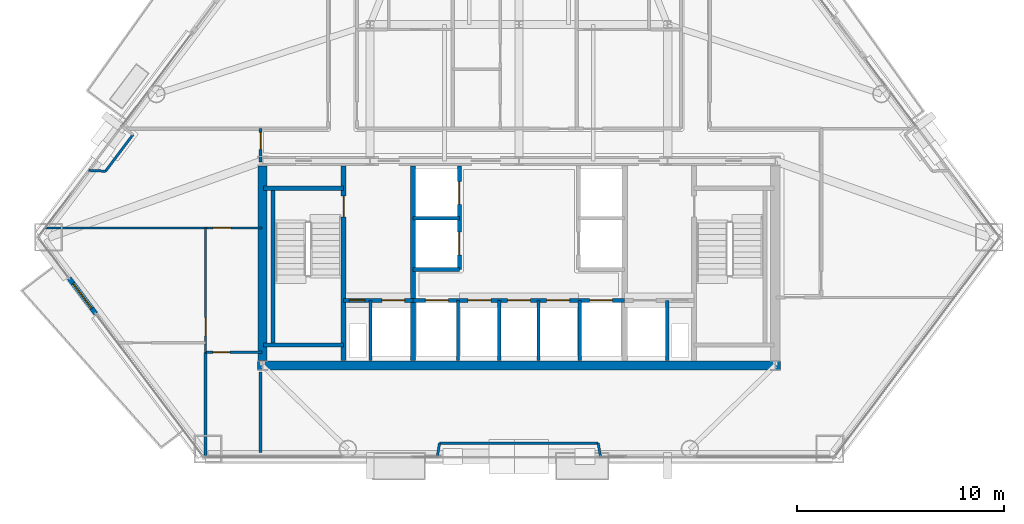
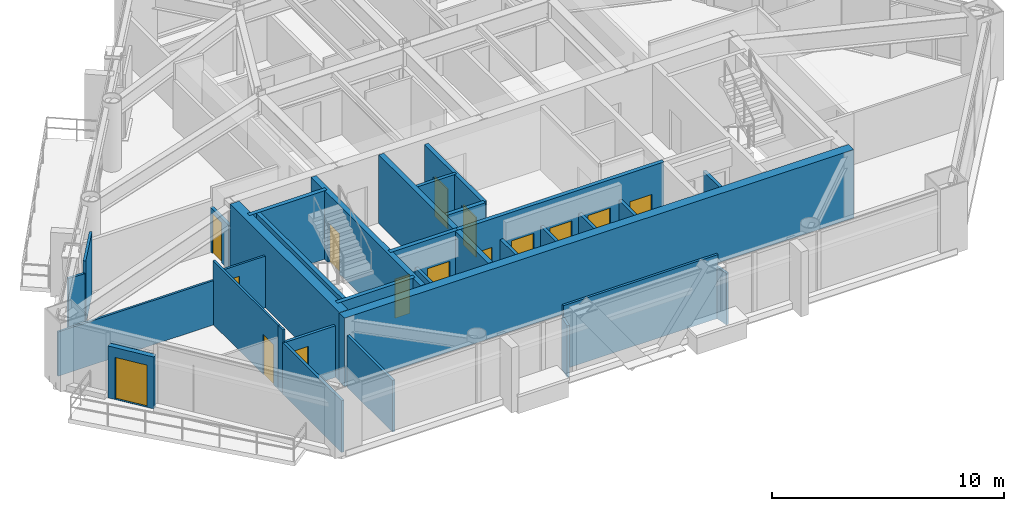
# One storey, part 6 of 11: 32 walls, 15 doors, 15 openings.
"""IFC4 building model written with IfcOpenShell, lengths in metres."""

from ifc_helpers import new_model, si_unit, direction, frame, frame_2d, origin, place, context, subcontext, project, spatial, rectangle, extrude, material, layer, layer_set, type_object, element, fill, save


model = new_model("IFC4")

# Units and contexts
model_context = context("Model", 3, precision=1e-05, world=origin(), true_north=direction((0.0, 1.0)))
body_context = subcontext(model_context, "Body", "Model", "MODEL_VIEW")
ifc_project = project(units=[si_unit("LENGTHUNIT", "METRE"), si_unit("AREAUNIT", "SQUARE_METRE"), si_unit("VOLUMEUNIT", "CUBIC_METRE"), si_unit("PLANEANGLEUNIT", "RADIAN"), si_unit("MASSUNIT", "GRAM", prefix="KILO")], contexts=[model_context])

# Site, building, storey
site_placement = place(None, origin())
site = spatial("IfcSite", under=ifc_project, at=site_placement, CompositionType="ELEMENT")
building_placement = place(site_placement, origin())
building = spatial("IfcBuilding", under=site, at=building_placement, Name="Talgorran Terracotta Tower", CompositionType="ELEMENT")
storey_placement = place(building_placement, frame((0.0, 0.0, 38.699951171875)))
storey = spatial("IfcBuildingStorey", under=building, at=storey_placement, Name="L09", CompositionType="ELEMENT", Elevation=38.699951171875)

# Wall, opening, door
ifc_material_1 = material(Name="Concrete C40/50", Category="concrete")
ifc_layer_1 = layer(ifc_material_1, 0.239990234375, Name="WT_BALCONY_SPAND")
ifc_layer_set_1 = layer_set([ifc_layer_1], Name="Concrete C40/50")
wall_type_1 = type_object("IfcWallType", Name="WT_BALCONY_SPAND", PredefinedType="STANDARD", material=ifc_layer_set_1)
wall_1_placement = place(storey_placement, frame((-21.7626953125, -9.8798828125, -0.014892578125), z_axis=(0.0, 0.0, 1.0), x_axis=(0.601568650406, -0.79882110566, 0.0)))
wall_1 = element("IfcWall", 1, at=wall_1_placement, inside=storey, type_object=wall_type_1, Name="WL-L09-BALP-BAL-SW", PredefinedType="STANDARD", context=body_context, shape_type="SweptSolid", body=[
    extrude(rectangle(XDim=2.139892578125, YDim=0.239990234375, at=frame_2d((1.06982421875, 0.0))), origin(), (0.0, 0.0, 1.0), 2.728271484375),
])
opening_1_placement = place(wall_1_placement, frame((0.320068359375, 0.0, 0.014892578125)))
opening_1 = element("IfcOpeningElement", 2, at=opening_1_placement, cuts=wall_1, Name="Opening D-BAL-L09-3", PredefinedType="OPENING", context=body_context, shape_type="SweptSolid", body=[
    extrude(rectangle(XDim=1.506, YDim=2.203951171875, at=frame_2d((0.75, 1.10205078125))), frame((0.0, 0.1298828125, 0.0), z_axis=(0.0, -1.0, 0.0), x_axis=(1.0, 0.0, 0.0)), (0.0, 0.0, 1.0), 0.260009765625),
])
ifc_material_2 = material(Name="Thermally Broken Aluminium", Category="aluminium")
door_type_1 = type_object("IfcDoorType", Name="DT_BALC_1500", OperationType="SLIDING_TO_RIGHT", PredefinedType="DOOR", material=ifc_material_2)
door_1_placement = place(opening_1_placement, origin())
door_1 = element("IfcDoor", 3, at=door_1_placement, inside=storey, type_object=door_type_1, Name="DR-L09-BAL-BAL-SW", OperationType="SLIDING_TO_RIGHT", OverallHeight=2.199951171875, OverallWidth=1.5, PredefinedType="DOOR", context=body_context, shape_type="SweptSolid", body=[
    extrude(rectangle(XDim=1.5, YDim=2.199951171875, at=frame_2d((0.75, 1.10009765625))), frame((0.0, 0.02490234375, 0.0), z_axis=(0.0, -1.0, 0.0), x_axis=(1.0, 0.0, 0.0)), (0.0, 0.0, 1.0), 0.050048828125),
])
fill(opening_1, door_1)

# Walls
ifc_material_3 = material(Name="Concrete C50/60", Category="concrete")
ifc_layer_2 = layer(ifc_material_3, 0.199951171875, Name="WT_CORE_200")
ifc_layer_set_2 = layer_set([ifc_layer_2], Name="Concrete C50/60")
wall_type_2 = type_object("IfcWallType", Name="WT_CORE_200", PredefinedType="SOLIDWALL", material=ifc_layer_set_2)
for number, where, z_axis, x_axis, name in (
    (4, (-12.35009765625, -5.52001953125, 0.0), (0.0, 0.0, 1.0), (1.0, 0.0, 0.0), "WL-L09-CW-ST1-N"),
    (5, (-12.35009765625, -13.10009765625, 0.0), (0.0, 0.0, 1.0), (1.0, 0.0, 0.0), "WL-L09-CW-ST1-S"),
):
    element("IfcWall", number, at=place(storey_placement, frame(where, z_axis=z_axis, x_axis=x_axis)), inside=storey, type_object=wall_type_2, Name=name, PredefinedType="SOLIDWALL", context=body_context, shape_type="SweptSolid", body=[
        extrude(rectangle(XDim=3.8701171875, YDim=0.199951171875, at=frame_2d((1.93505859375, 0.0))), origin(), (0.0, 0.0, 1.0), 3.60009765625),
    ])
wall_2_placement = place(storey_placement, frame((-11.89990234375, -13.10009765625, 0.0), z_axis=(0.0, 0.0, 1.0), x_axis=(0.0, 1.0, 0.0)))
element("IfcWall", 6, at=wall_2_placement, inside=storey, type_object=wall_type_2, Name="WL-L09-CW-ST1-W", PredefinedType="SOLIDWALL", context=body_context, shape_type="SweptSolid", body=[
    extrude(rectangle(XDim=7.580078125, YDim=0.199951171875, at=frame_2d((3.7900390625, 0.0))), origin(), (0.0, 0.0, 1.0), 3.60009765625),
])

# Wall, openings, doors
wall_3_placement = place(storey_placement, frame((-8.47998046875, -10.949951171875, 0.0), z_axis=(0.0, 0.0, 1.0), x_axis=(1.0, 0.0, 0.0)))
wall_3 = element("IfcWall", 7, at=wall_3_placement, inside=storey, type_object=wall_type_2, Name="WL-L09-CW-H-SBW", PredefinedType="SOLIDWALL", context=body_context, shape_type="SweptSolid", body=[
    extrude(rectangle(XDim=3.35986328125, YDim=0.199951171875, at=frame_2d((1.679931640625, 0.0))), origin(), (0.0, 0.0, 1.0), 3.60009765625),
])
opening_2_placement = place(wall_3_placement, frame((0.280029296875, 0.0, 0.0)))
opening_2 = element("IfcOpeningElement", 8, at=opening_2_placement, cuts=wall_3, Name="Opening DR-RSW", PredefinedType="OPENING", context=body_context, shape_type="SweptSolid", body=[
    extrude(rectangle(XDim=0.756, YDim=2.054048828125, at=frame_2d((0.375, 1.027099609375))), frame((0.0, 0.10986328125, 0.0), z_axis=(0.0, -1.0, 0.0), x_axis=(1.0, 0.0, 0.0)), (0.0, 0.0, 1.0), 0.219970703125),
])
opening_3_placement = place(wall_3_placement, frame((1.85009765625, 0.0, 0.0)))
opening_3 = element("IfcOpeningElement", 9, at=opening_3_placement, cuts=wall_3, Name="Opening LD-FFL1", PredefinedType="OPENING", context=body_context, shape_type="SweptSolid", body=[
    extrude(rectangle(XDim=1.10609765625, YDim=2.10409765625, at=frame_2d((0.550048828125, 1.052001953125))), frame((0.0, 0.10986328125, 0.0), z_axis=(0.0, -1.0, 0.0), x_axis=(1.0, 0.0, 0.0)), (0.0, 0.0, 1.0), 0.219970703125),
])
ifc_material_4 = material(Name="Brushed Stainless Steel Grade 304", Category="steel")
door_type_2 = type_object("IfcDoorType", Name="DT_LIFT_LD1100", OperationType="DOUBLE_DOOR_SLIDING", PredefinedType="DOOR", material=ifc_material_4)
door_2_placement = place(opening_3_placement, origin())
door_2 = element("IfcDoor", 10, at=door_2_placement, inside=storey, type_object=door_type_2, Name="L09 Lift Landing Door LD-FFL1", OperationType="DOUBLE_DOOR_SLIDING", OverallHeight=2.10009765625, OverallWidth=1.10009765625, PredefinedType="DOOR", context=body_context, shape_type="SweptSolid", body=[
    extrude(rectangle(XDim=1.10009765625, YDim=2.10009765625, at=frame_2d((0.550048828125, 1.050048828125))), frame((0.0, 0.02490234375, 0.0), z_axis=(0.0, -1.0, 0.0), x_axis=(1.0, 0.0, 0.0)), (0.0, 0.0, 1.0), 0.050048828125),
])
fill(opening_3, door_2)
ifc_material_5 = material(Name="Fire-Rated Pressed Steel", Category="steel")
door_type_3 = type_object("IfcDoorType", Name="DT_RISER_750", OperationType="NOTDEFINED", PredefinedType="DOOR", material=ifc_material_5)
door_3_placement = place(opening_2_placement, origin())
door_3 = element("IfcDoor", 11, at=door_3_placement, inside=storey, type_object=door_type_3, Name="DR-RSW", OperationType="SINGLE_SWING_LEFT", OverallHeight=2.050048828125, OverallWidth=0.75, PredefinedType="DOOR", context=body_context, shape_type="SweptSolid", body=[
    extrude(rectangle(XDim=0.75, YDim=2.050048828125, at=frame_2d((0.375, 1.02490234375))), frame((0.0, 0.02490234375, 0.0), z_axis=(0.0, -1.0, 0.0), x_axis=(1.0, 0.0, 0.0)), (0.0, 0.0, 1.0), 0.050048828125),
])
fill(opening_2, door_3)

wall_4_placement = place(storey_placement, frame((-5.1201171875, -10.949951171875, 0.0), z_axis=(0.0, 0.0, 1.0), x_axis=(1.0, 0.0, 0.0)))
wall_4 = element("IfcWall", 12, at=wall_4_placement, inside=storey, type_object=wall_type_2, Name="WL-L09-CW-H-SBC", PredefinedType="SOLIDWALL", context=body_context, shape_type="SweptSolid", body=[
    extrude(rectangle(XDim=10.240234375, YDim=0.199951171875, at=frame_2d((5.1201171875, 0.0))), origin(), (0.0, 0.0, 1.0), 3.60009765625),
])
opening_4_placement = place(wall_4_placement, frame((0.60009765625, 0.0, 0.0)))
opening_4 = element("IfcOpeningElement", 13, at=opening_4_placement, cuts=wall_4, Name="Opening LD-OB1", PredefinedType="OPENING", context=body_context, shape_type="SweptSolid", body=[
    extrude(rectangle(XDim=1.10609765625, YDim=2.10409765625, at=frame_2d((0.550048828125, 1.052001953125))), frame((0.0, 0.10986328125, 0.0), z_axis=(0.0, -1.0, 0.0), x_axis=(1.0, 0.0, 0.0)), (0.0, 0.0, 1.0), 0.219970703125),
])
opening_5_placement = place(wall_4_placement, frame((2.669921875, 0.0, 0.0)))
opening_5 = element("IfcOpeningElement", 14, at=opening_5_placement, cuts=wall_4, Name="Opening LD-PLH1", PredefinedType="OPENING", context=body_context, shape_type="SweptSolid", body=[
    extrude(rectangle(XDim=1.10609765625, YDim=2.10409765625, at=frame_2d((0.550048828125, 1.052001953125))), frame((0.0, 0.10986328125, 0.0), z_axis=(0.0, -1.0, 0.0), x_axis=(1.0, 0.0, 0.0)), (0.0, 0.0, 1.0), 0.219970703125),
])
opening_6_placement = place(wall_4_placement, frame((4.570068359375, 0.0, 0.0)))
opening_6 = element("IfcOpeningElement", 15, at=opening_6_placement, cuts=wall_4, Name="Opening LD-PLH2", PredefinedType="OPENING", context=body_context, shape_type="SweptSolid", body=[
    extrude(rectangle(XDim=1.10609765625, YDim=2.10409765625, at=frame_2d((0.550048828125, 1.052001953125))), frame((0.0, 0.10986328125, 0.0), z_axis=(0.0, -1.0, 0.0), x_axis=(1.0, 0.0, 0.0)), (0.0, 0.0, 1.0), 0.219970703125),
])
opening_7_placement = place(wall_4_placement, frame((6.469970703125, 0.0, 0.0)))
opening_7 = element("IfcOpeningElement", 16, at=opening_7_placement, cuts=wall_4, Name="Opening LD-PLH3", PredefinedType="OPENING", context=body_context, shape_type="SweptSolid", body=[
    extrude(rectangle(XDim=1.10609765625, YDim=2.10409765625, at=frame_2d((0.550048828125, 1.052001953125))), frame((0.0, 0.10986328125, 0.0), z_axis=(0.0, -1.0, 0.0), x_axis=(1.0, 0.0, 0.0)), (0.0, 0.0, 1.0), 0.219970703125),
])
opening_8_placement = place(wall_4_placement, frame((8.5400390625, 0.0, 0.0)))
opening_8 = element("IfcOpeningElement", 17, at=opening_8_placement, cuts=wall_4, Name="Opening LD-SVL1", PredefinedType="OPENING", context=body_context, shape_type="SweptSolid", body=[
    extrude(rectangle(XDim=1.10609765625, YDim=2.10409765625, at=frame_2d((0.550048828125, 1.052001953125))), frame((0.0, 0.10986328125, 0.0), z_axis=(0.0, -1.0, 0.0), x_axis=(1.0, 0.0, 0.0)), (0.0, 0.0, 1.0), 0.219970703125),
])
door_4_placement = place(opening_4_placement, origin())
door_4 = element("IfcDoor", 18, at=door_4_placement, inside=storey, type_object=door_type_2, Name="L09 Lift Landing Door LD-OB1", OperationType="DOUBLE_DOOR_SLIDING", OverallHeight=2.10009765625, OverallWidth=1.10009765625, PredefinedType="DOOR", context=body_context, shape_type="SweptSolid", body=[
    extrude(rectangle(XDim=1.10009765625, YDim=2.10009765625, at=frame_2d((0.550048828125, 1.050048828125))), frame((0.0, 0.02490234375, 0.0), z_axis=(0.0, -1.0, 0.0), x_axis=(1.0, 0.0, 0.0)), (0.0, 0.0, 1.0), 0.050048828125),
])
fill(opening_4, door_4)
door_5_placement = place(opening_5_placement, origin())
door_5 = element("IfcDoor", 19, at=door_5_placement, inside=storey, type_object=door_type_2, Name="L09 Lift Landing Door LD-PLH1", OperationType="DOUBLE_DOOR_SLIDING", OverallHeight=2.10009765625, OverallWidth=1.10009765625, PredefinedType="DOOR", context=body_context, shape_type="SweptSolid", body=[
    extrude(rectangle(XDim=1.10009765625, YDim=2.10009765625, at=frame_2d((0.550048828125, 1.050048828125))), frame((0.0, 0.02490234375, 0.0), z_axis=(0.0, -1.0, 0.0), x_axis=(1.0, 0.0, 0.0)), (0.0, 0.0, 1.0), 0.050048828125),
])
fill(opening_5, door_5)
door_6_placement = place(opening_6_placement, origin())
door_6 = element("IfcDoor", 20, at=door_6_placement, inside=storey, type_object=door_type_2, Name="L09 Lift Landing Door LD-PLH2", OperationType="DOUBLE_DOOR_SLIDING", OverallHeight=2.10009765625, OverallWidth=1.10009765625, PredefinedType="DOOR", context=body_context, shape_type="SweptSolid", body=[
    extrude(rectangle(XDim=1.10009765625, YDim=2.10009765625, at=frame_2d((0.550048828125, 1.050048828125))), frame((0.0, 0.02490234375, 0.0), z_axis=(0.0, -1.0, 0.0), x_axis=(1.0, 0.0, 0.0)), (0.0, 0.0, 1.0), 0.050048828125),
])
fill(opening_6, door_6)
door_7_placement = place(opening_7_placement, origin())
door_7 = element("IfcDoor", 21, at=door_7_placement, inside=storey, type_object=door_type_2, Name="L09 Lift Landing Door LD-PLH3", OperationType="DOUBLE_DOOR_SLIDING", OverallHeight=2.10009765625, OverallWidth=1.10009765625, PredefinedType="DOOR", context=body_context, shape_type="SweptSolid", body=[
    extrude(rectangle(XDim=1.10009765625, YDim=2.10009765625, at=frame_2d((0.550048828125, 1.050048828125))), frame((0.0, 0.02490234375, 0.0), z_axis=(0.0, -1.0, 0.0), x_axis=(1.0, 0.0, 0.0)), (0.0, 0.0, 1.0), 0.050048828125),
])
fill(opening_7, door_7)
door_8_placement = place(opening_8_placement, origin())
door_8 = element("IfcDoor", 22, at=door_8_placement, inside=storey, type_object=door_type_2, Name="L09 Lift Landing Door LD-SVL1", OperationType="DOUBLE_DOOR_SLIDING", OverallHeight=2.10009765625, OverallWidth=1.10009765625, PredefinedType="DOOR", context=body_context, shape_type="SweptSolid", body=[
    extrude(rectangle(XDim=1.10009765625, YDim=2.10009765625, at=frame_2d((0.550048828125, 1.050048828125))), frame((0.0, 0.02490234375, 0.0), z_axis=(0.0, -1.0, 0.0), x_axis=(1.0, 0.0, 0.0)), (0.0, 0.0, 1.0), 0.050048828125),
])
fill(opening_8, door_8)

wall_5_placement = place(storey_placement, frame((-2.8798828125, -9.449951171875, 0.0), z_axis=(0.0, 0.0, 1.0), x_axis=(0.0, 1.0, 0.0)))
wall_5 = element("IfcWall", 23, at=wall_5_placement, inside=storey, type_object=wall_type_2, Name="WL-L09-CW-V-W3", PredefinedType="SOLIDWALL", context=body_context, shape_type="SweptSolid", body=[
    extrude(rectangle(XDim=5.0, YDim=0.199951171875, at=frame_2d((2.5, 0.0))), origin(), (0.0, 0.0, 1.0), 3.35009765625),
])
opening_9_placement = place(wall_5_placement, frame((0.699951171875, 0.0, 0.0)))
opening_9 = element("IfcOpeningElement", 24, at=opening_9_placement, cuts=wall_5, Name="Opening LD-PLL1", PredefinedType="OPENING", context=body_context, shape_type="SweptSolid", body=[
    extrude(rectangle(XDim=1.10609765625, YDim=2.10409765625, at=frame_2d((0.550048828125, 1.052001953125))), frame((0.0, 0.10986328125, 0.0), z_axis=(0.0, -1.0, 0.0), x_axis=(1.0, 0.0, 0.0)), (0.0, 0.0, 1.0), 0.219970703125),
])
opening_10_placement = place(wall_5_placement, frame((3.14990234375, 0.0, 0.0)))
opening_10 = element("IfcOpeningElement", 25, at=opening_10_placement, cuts=wall_5, Name="Opening LD-PLL2", PredefinedType="OPENING", context=body_context, shape_type="SweptSolid", body=[
    extrude(rectangle(XDim=1.10609765625, YDim=2.10409765625, at=frame_2d((0.550048828125, 1.052001953125))), frame((0.0, 0.10986328125, 0.0), z_axis=(0.0, -1.0, 0.0), x_axis=(1.0, 0.0, 0.0)), (0.0, 0.0, 1.0), 0.219970703125),
])
door_9_placement = place(opening_9_placement, origin())
door_9 = element("IfcDoor", 26, at=door_9_placement, inside=storey, type_object=door_type_2, Name="L09 Lift Landing Door LD-PLL1", OperationType="DOUBLE_DOOR_SLIDING", OverallHeight=2.10009765625, OverallWidth=1.10009765625, PredefinedType="DOOR", context=body_context, shape_type="SweptSolid", body=[
    extrude(rectangle(XDim=1.10009765625, YDim=2.10009765625, at=frame_2d((0.550048828125, 1.050048828125))), frame((0.0, 0.02490234375, 0.0), z_axis=(0.0, -1.0, 0.0), x_axis=(1.0, 0.0, 0.0)), (0.0, 0.0, 1.0), 0.050048828125),
])
fill(opening_9, door_9)
door_10_placement = place(opening_10_placement, origin())
door_10 = element("IfcDoor", 27, at=door_10_placement, inside=storey, type_object=door_type_2, Name="L09 Lift Landing Door LD-PLL2", OperationType="DOUBLE_DOOR_SLIDING", OverallHeight=2.10009765625, OverallWidth=1.10009765625, PredefinedType="DOOR", context=body_context, shape_type="SweptSolid", body=[
    extrude(rectangle(XDim=1.10009765625, YDim=2.10009765625, at=frame_2d((0.550048828125, 1.050048828125))), frame((0.0, 0.02490234375, 0.0), z_axis=(0.0, -1.0, 0.0), x_axis=(1.0, 0.0, 0.0)), (0.0, 0.0, 1.0), 0.050048828125),
])
fill(opening_10, door_10)

# Wall
wall_6_placement = place(storey_placement, frame((-5.1201171875, -9.449951171875, 0.0), z_axis=(0.0, 0.0, 1.0), x_axis=(1.0, 0.0, 0.0)))
element("IfcWall", 28, at=wall_6_placement, inside=storey, type_object=wall_type_2, Name="WL-L09-CW-H-W4", PredefinedType="SOLIDWALL", context=body_context, shape_type="SweptSolid", body=[
    extrude(rectangle(XDim=2.240234375, YDim=0.199951171875, at=frame_2d((1.1201171875, 0.0))), origin(), (0.0, 0.0, 1.0), 3.35009765625),
])

# Wall, opening, door
ifc_layer_3 = layer(ifc_material_3, 0.25, Name="WT_CORE_250")
ifc_layer_set_3 = layer_set([ifc_layer_3], Name="Concrete C50/60")
wall_type_3 = type_object("IfcWallType", Name="WT_CORE_250", PredefinedType="SHEAR", material=ifc_layer_set_3)
wall_7_placement = place(storey_placement, frame((-8.47998046875, -13.85009765625, 0.0), z_axis=(0.0, 0.0, 1.0), x_axis=(0.0, 1.0, 0.0)))
wall_7 = element("IfcWall", 29, at=wall_7_placement, inside=storey, type_object=wall_type_3, Name="WL-L09-CW-V-W1", PredefinedType="SHEAR", context=body_context, shape_type="SweptSolid", body=[
    extrude(rectangle(XDim=9.400146484375, YDim=0.25, at=frame_2d((4.7001953125, 0.0))), origin(), (0.0, 0.0, 1.0), 3.60009765625),
])
opening_11_placement = place(wall_7_placement, frame((6.949951171875, 0.0, 0.0)))
opening_11 = element("IfcOpeningElement", 30, at=opening_11_placement, cuts=wall_7, Name="Opening DR-ST01", PredefinedType="OPENING", context=body_context, shape_type="SweptSolid", body=[
    extrude(rectangle(XDim=1.006, YDim=2.10409765625, at=frame_2d((0.5, 1.052001953125))), frame((0.0, 0.135009765625, 0.0), z_axis=(0.0, -1.0, 0.0), x_axis=(1.0, 0.0, 0.0)), (0.0, 0.0, 1.0), 0.27001953125),
])
door_type_4 = type_object("IfcDoorType", Name="DT_FIRE_1000", OperationType="NOTDEFINED", PredefinedType="DOOR", material=ifc_material_5)
door_11_placement = place(opening_11_placement, origin())
door_11 = element("IfcDoor", 31, at=door_11_placement, inside=storey, type_object=door_type_4, Name="DR-ST01", OperationType="SINGLE_SWING_LEFT", OverallHeight=2.10009765625, OverallWidth=1.0, PredefinedType="DOOR", context=body_context, shape_type="SweptSolid", body=[
    extrude(rectangle(XDim=1.0, YDim=2.10009765625, at=frame_2d((0.5, 1.050048828125))), frame((0.0, 0.02490234375, 0.0), z_axis=(0.0, -1.0, 0.0), x_axis=(1.0, 0.0, 0.0)), (0.0, 0.0, 1.0), 0.050048828125),
])
fill(opening_11, door_11)

# Walls
wall_8_placement = place(storey_placement, frame((-5.1201171875, -13.85009765625, 0.0), z_axis=(0.0, 0.0, 1.0), x_axis=(0.0, 1.0, 0.0)))
element("IfcWall", 32, at=wall_8_placement, inside=storey, type_object=wall_type_3, Name="WL-L09-CW-V-W2", PredefinedType="SHEAR", context=body_context, shape_type="SweptSolid", body=[
    extrude(rectangle(XDim=9.400146484375, YDim=0.25, at=frame_2d((4.7001953125, 0.0))), origin(), (0.0, 0.0, 1.0), 3.60009765625),
])
ifc_material_6 = material(Name="Concrete C65/80", Category="concrete")
ifc_layer_4 = layer(ifc_material_6, 0.449951171875, Name="WT_CORE_EXT")
ifc_layer_set_4 = layer_set([ifc_layer_4], Name="Concrete C65/80")
wall_type_4 = type_object("IfcWallType", Name="WT_CORE_EXT", PredefinedType="SHEAR", material=ifc_layer_set_4)
wall_9_placement = place(storey_placement, frame((-12.64990234375, -14.10009765625, 0.0), z_axis=(0.0, 0.0, 1.0), x_axis=(1.0, 0.0, 0.0)))
element("IfcWall", 33, at=wall_9_placement, inside=storey, type_object=wall_type_4, Name="WL-L09-CW-OUT-S", PredefinedType="SHEAR", context=body_context, shape_type="SweptSolid", body=[
    extrude(rectangle(XDim=25.2998046875, YDim=0.449951171875, at=frame_2d((12.64990234375, 0.0))), origin(), (0.0, 0.0, 1.0), 3.60009765625),
])
wall_10_placement = place(storey_placement, frame((-12.39990234375, -13.85009765625, 0.0), z_axis=(0.0, 0.0, 1.0), x_axis=(0.0, 1.0, 0.0)))
element("IfcWall", 34, at=wall_10_placement, inside=storey, type_object=wall_type_4, Name="WL-L09-CW-OUT-W", PredefinedType="SHEAR", context=body_context, shape_type="SweptSolid", body=[
    extrude(rectangle(XDim=9.400146484375, YDim=0.449951171875, at=frame_2d((4.7001953125, 0.0))), origin(), (0.0, 0.0, 1.0), 3.60009765625),
])

# Wall, opening, door
ifc_material_7 = material(Name="Fire-Rated Steel Stud Plasterboard", Category="steel")
ifc_layer_5 = layer(ifc_material_7, 0.14990234375, Name="WT_FIRE_150")
ifc_layer_set_5 = layer_set([ifc_layer_5], Name="Fire-Rated Steel Stud Plasterboard")
wall_type_5 = type_object("IfcWallType", Name="WT_FIRE_150", PredefinedType="PARTITIONING", material=ifc_layer_set_5)
wall_11_placement = place(storey_placement, frame((-12.5, -4.239990234375, 0.0), z_axis=(0.0, 0.0, 1.0), x_axis=(0.0, 1.0, 0.0)))
wall_11 = element("IfcWall", 35, at=wall_11_placement, inside=storey, type_object=wall_type_5, Name="WL-L09-W-L09-R01", PredefinedType="PARTITIONING", context=body_context, shape_type="SweptSolid", body=[
    extrude(rectangle(XDim=1.60009765625, YDim=0.14990234375, at=frame_2d((0.800048828125, 0.0))), origin(), (0.0, 0.0, 1.0), 2.324951171875),
])
opening_12_placement = place(wall_11_placement, frame((0.602294921875, 0.0, 0.0)))
opening_12 = element("IfcOpeningElement", 36, at=opening_12_placement, cuts=wall_11, Name="Opening DR-L09-R01", PredefinedType="OPENING", context=body_context, shape_type="SweptSolid", body=[
    extrude(rectangle(XDim=0.826068359375, YDim=2.10409765625, at=frame_2d((0.41015625, 1.052001953125))), frame((0.0, 0.0849609375, 0.0), z_axis=(0.0, -1.0, 0.0), x_axis=(1.0, 0.0, 0.0)), (0.0, 0.0, 1.0), 0.169921875),
])
ifc_material_8 = material(Name="Moisture-Resistant Solid Timber", Category="wood")
door_type_5 = type_object("IfcDoorType", Name="DT_INT_820", OperationType="NOTDEFINED", PredefinedType="DOOR", material=ifc_material_8)
door_12_placement = place(opening_12_placement, origin())
door_12 = element("IfcDoor", 37, at=door_12_placement, inside=storey, type_object=door_type_5, Name="DR-L09-R01", OperationType="SINGLE_SWING_LEFT", OverallHeight=2.10009765625, OverallWidth=0.820068359375, PredefinedType="DOOR", context=body_context, shape_type="SweptSolid", body=[
    extrude(rectangle(XDim=0.820068359375, YDim=2.10009765625, at=frame_2d((0.41015625, 1.050048828125))), frame((0.0, 0.02490234375, 0.0), z_axis=(0.0, -1.0, 0.0), x_axis=(1.0, 0.0, 0.0)), (0.0, 0.0, 1.0), 0.050048828125),
])
fill(opening_12, door_12)

# Wall
ifc_material_9 = material(Name="Lightweight Steel Stud Partition", Category="steel")
ifc_layer_6 = layer(ifc_material_9, 0.10498046875, Name="WT_PART_110")
ifc_layer_set_6 = layer_set([ifc_layer_6], Name="Lightweight Steel Stud Partition")
wall_type_6 = type_object("IfcWallType", Name="WT_PART_110", PredefinedType="PARTITIONING", material=ifc_layer_set_6)
wall_12_placement = place(storey_placement, frame((-22.919189453125, -7.43994140625, 0.0), z_axis=(0.0, 0.0, 1.0), x_axis=(1.0, 0.0, 0.0)))
element("IfcWall", 38, at=wall_12_placement, inside=storey, type_object=wall_type_6, Name="WL-L09-W-L09-R24", PredefinedType="PARTITIONING", context=body_context, shape_type="SweptSolid", body=[
    extrude(rectangle(XDim=7.839111328125, YDim=0.10498046875, at=frame_2d((3.91943359375, 0.0))), origin(), (0.0, 0.0, 1.0), 2.324951171875),
])

# Wall, opening, door
wall_13_placement = place(storey_placement, frame((-15.159912109375, -13.06005859375, 0.0), z_axis=(0.0, 0.0, 1.0), x_axis=(0.0, 1.0, 0.0)))
wall_13 = element("IfcWall", 39, at=wall_13_placement, inside=storey, type_object=wall_type_6, Name="WL-L09-W-L09-R29", PredefinedType="PARTITIONING", context=body_context, shape_type="SweptSolid", body=[
    extrude(rectangle(XDim=5.6201171875, YDim=0.10498046875, at=frame_2d((2.81005859375, 0.0))), origin(), (0.0, 0.0, 1.0), 3.35009765625),
])
opening_13_placement = place(wall_13_placement, frame((0.398681640625, 0.0, 0.0)))
opening_13 = element("IfcOpeningElement", 40, at=opening_13_placement, cuts=wall_13, Name="Opening DR-L09-R24", PredefinedType="OPENING", context=body_context, shape_type="SweptSolid", body=[
    extrude(rectangle(XDim=0.8858828125, YDim=2.10409765625, at=frame_2d((0.43994140625, 1.052001953125))), frame((0.0, 0.0625, 0.0), z_axis=(0.0, -1.0, 0.0), x_axis=(1.0, 0.0, 0.0)), (0.0, 0.0, 1.0), 0.125),
])
ifc_material_10 = material(Name="Solid-Core Painted Timber", Category="wood")
door_type_6 = type_object("IfcDoorType", Name="DT_INT_880", OperationType="NOTDEFINED", PredefinedType="DOOR", material=ifc_material_10)
door_13_placement = place(opening_13_placement, origin())
door_13 = element("IfcDoor", 41, at=door_13_placement, inside=storey, type_object=door_type_6, Name="DR-L09-R24", OperationType="SINGLE_SWING_RIGHT", OverallHeight=2.10009765625, OverallWidth=0.8798828125, PredefinedType="DOOR", context=body_context, shape_type="SweptSolid", body=[
    extrude(rectangle(XDim=0.8798828125, YDim=2.10009765625, at=frame_2d((0.43994140625, 1.050048828125))), frame((0.0, 0.02490234375, 0.0), z_axis=(0.0, -1.0, 0.0), x_axis=(1.0, 0.0, 0.0)), (0.0, 0.0, 1.0), 0.050048828125),
])
fill(opening_13, door_13)

wall_14_placement = place(storey_placement, frame((-15.077880859375, -7.43994140625, 0.0), z_axis=(0.0, 0.0, 1.0), x_axis=(1.0, 0.0, 0.0)))
wall_14 = element("IfcWall", 42, at=wall_14_placement, inside=storey, type_object=wall_type_6, Name="WL-L09-W-L09-R23", PredefinedType="PARTITIONING", context=body_context, shape_type="SweptSolid", body=[
    extrude(rectangle(XDim=2.637939453125, YDim=0.10498046875, at=frame_2d((1.31884765625, 0.0))), origin(), (0.0, 0.0, 1.0), 2.71337890625),
])
opening_14_placement = place(wall_14_placement, frame((0.27392578125, 0.0, 0.0)))
opening_14 = element("IfcOpeningElement", 43, at=opening_14_placement, cuts=wall_14, Name="Opening DR-L09-R23", PredefinedType="OPENING", context=body_context, shape_type="SweptSolid", body=[
    extrude(rectangle(XDim=0.8858828125, YDim=2.10409765625, at=frame_2d((0.43994140625, 1.052001953125))), frame((0.0, 0.0625, 0.0), z_axis=(0.0, -1.0, 0.0), x_axis=(1.0, 0.0, 0.0)), (0.0, 0.0, 1.0), 0.125),
])
door_14_placement = place(opening_14_placement, origin())
door_14 = element("IfcDoor", 44, at=door_14_placement, inside=storey, type_object=door_type_6, Name="DR-L09-R23", OperationType="SINGLE_SWING_LEFT", OverallHeight=2.10009765625, OverallWidth=0.8798828125, PredefinedType="DOOR", context=body_context, shape_type="SweptSolid", body=[
    extrude(rectangle(XDim=0.8798828125, YDim=2.10009765625, at=frame_2d((0.43994140625, 1.050048828125))), frame((0.0, 0.02490234375, 0.0), z_axis=(0.0, -1.0, 0.0), x_axis=(1.0, 0.0, 0.0)), (0.0, 0.0, 1.0), 0.050048828125),
])
fill(opening_14, door_14)

# Walls
wall_15_placement = place(storey_placement, frame((-15.159912109375, -13.4599609375, 0.0), z_axis=(0.0, 0.0, 1.0), x_axis=(0.0, 1.0, 0.0)))
element("IfcWall", 45, at=wall_15_placement, inside=storey, type_object=wall_type_6, Name="WL-L09-W-L09-R28", PredefinedType="PARTITIONING", context=body_context, shape_type="SweptSolid", body=[
    extrude(rectangle(XDim=0.39794921875, YDim=0.10498046875, at=frame_2d((0.198974609375, 0.0))), origin(), (0.0, 0.0, 1.0), 3.35009765625),
])
ifc_material_11 = material(Name="Insulated Steel Stud Plasterboard", Category="steel")
ifc_layer_7 = layer(ifc_material_11, 0.1201171875, Name="WT_PART_120")
ifc_layer_set_7 = layer_set([ifc_layer_7], Name="Insulated Steel Stud Plasterboard")
wall_type_7 = type_object("IfcWallType", Name="WT_PART_120", PredefinedType="PARTITIONING", material=ifc_layer_set_7)
wall_16_placement = place(storey_placement, frame((-3.8369140625, -17.855712890625, 0.0), z_axis=(0.0, 0.0, 1.0), x_axis=(1.0, 0.0, 0.0)))
element("IfcWall", 46, at=wall_16_placement, inside=storey, type_object=wall_type_7, Name="WL-L09-BW-L09-01", PredefinedType="PARTITIONING", context=body_context, shape_type="SweptSolid", body=[
    extrude(rectangle(XDim=7.673828125, YDim=0.1201171875, at=frame_2d((3.8369140625, 0.0))), origin(), (0.0, 0.0, 1.0), 3.35009765625),
])
wall_17_placement = place(storey_placement, frame((-18.66943359375, -2.928466796875, 0.0), z_axis=(0.0, 0.0, 1.0), x_axis=(-0.601727904202, -0.798701151436, 0.0)))
element("IfcWall", 47, at=wall_17_placement, inside=storey, type_object=wall_type_7, Name="WL-L09-BW-L09-05", PredefinedType="PARTITIONING", context=body_context, shape_type="SweptSolid", body=[
    extrude(rectangle(XDim=2.213623046875, YDim=0.1201171875, at=frame_2d((1.10693359375, 0.0))), origin(), (0.0, 0.0, 1.0), 3.35009765625),
])
wall_18_placement = place(storey_placement, frame((-20.00146484375, -4.696533203125, 0.0), z_axis=(0.0, 0.0, 1.0), x_axis=(-0.99892592368, 0.046335720556, 0.0)))
element("IfcWall", 48, at=wall_18_placement, inside=storey, type_object=wall_type_7, Name="WL-L09-BW-L09-06", PredefinedType="PARTITIONING", context=body_context, shape_type="SweptSolid", body=[
    extrude(rectangle(XDim=0.8115234375, YDim=0.1201171875, at=frame_2d((0.40576171875, 0.0))), origin(), (0.0, 0.0, 1.0), 2.71337890625),
])
for number, where, z_axis, x_axis, name in (
    (49, (3.8369140625, -17.855712890625, 0.0), (0.0, 0.0, 1.0), (0.166379947434, -0.986061718703, 0.0), "WL-L09-BW-L09-02"),
    (50, (-3.949951171875, -18.525634765625, 0.0), (0.0, 0.0, 1.0), (0.166379947434, 0.986061718703, 0.0), "WL-L09-BW-L09-03"),
):
    element("IfcWall", number, at=place(storey_placement, frame(where, z_axis=z_axis, x_axis=x_axis)), inside=storey, type_object=wall_type_7, Name=name, PredefinedType="PARTITIONING", context=body_context, shape_type="SweptSolid", body=[
        extrude(rectangle(XDim=0.679443359375, YDim=0.1201171875, at=frame_2d((0.33984375, 0.0))), origin(), (0.0, 0.0, 1.0), 2.71337890625),
    ])
ifc_material_12 = material(Name="Moisture-Resistant Stud Wall")
ifc_layer_8 = layer(ifc_material_12, 0.135009765625, Name="WT_PART_135")
ifc_layer_set_8 = layer_set([ifc_layer_8], Name="Moisture-Resistant Stud Wall")
wall_type_8 = type_object("IfcWallType", Name="WT_PART_135", PredefinedType="PARTITIONING", material=ifc_layer_set_8)
wall_19_placement = place(storey_placement, frame((-15.159912109375, -18.53564453125, 0.0), z_axis=(0.0, 0.0, 1.0), x_axis=(0.0, 1.0, 0.0)))
element("IfcWall", 51, at=wall_19_placement, inside=storey, type_object=wall_type_8, Name="WL-L09-W-L09-R27", PredefinedType="PARTITIONING", context=body_context, shape_type="SweptSolid", body=[
    extrude(rectangle(XDim=5.07568359375, YDim=0.135009765625, at=frame_2d((2.537841796875, 0.0))), origin(), (0.0, 0.0, 1.0), 2.71337890625),
])

# Wall, opening, door
wall_20_placement = place(storey_placement, frame((-15.159912109375, -13.4599609375, 0.0), z_axis=(0.0, 0.0, 1.0), x_axis=(1.0, 0.0, 0.0)))
wall_20 = element("IfcWall", 52, at=wall_20_placement, inside=storey, type_object=wall_type_8, Name="WL-L09-W-L09-R26", PredefinedType="PARTITIONING", context=body_context, shape_type="SweptSolid", body=[
    extrude(rectangle(XDim=2.719970703125, YDim=0.135009765625, at=frame_2d((1.35986328125, 0.0))), origin(), (0.0, 0.0, 1.0), 2.71337890625),
])
opening_15_placement = place(wall_20_placement, frame((0.353271484375, 0.0, 0.0)))
opening_15 = element("IfcOpeningElement", 53, at=opening_15_placement, cuts=wall_20, Name="Opening DR-L09-R02", PredefinedType="OPENING", context=body_context, shape_type="SweptSolid", body=[
    extrude(rectangle(XDim=0.826068359375, YDim=2.10409765625, at=frame_2d((0.41015625, 1.052001953125))), frame((0.0, 0.07763671875, 0.0), z_axis=(0.0, -1.0, 0.0), x_axis=(1.0, 0.0, 0.0)), (0.0, 0.0, 1.0), 0.155029296875),
])
door_15_placement = place(opening_15_placement, origin())
door_15 = element("IfcDoor", 54, at=door_15_placement, inside=storey, type_object=door_type_5, Name="DR-L09-R02", OperationType="SINGLE_SWING_RIGHT", OverallHeight=2.10009765625, OverallWidth=0.820068359375, PredefinedType="DOOR", context=body_context, shape_type="SweptSolid", body=[
    extrude(rectangle(XDim=0.820068359375, YDim=2.10009765625, at=frame_2d((0.41015625, 1.050048828125))), frame((0.0, 0.02490234375, 0.0), z_axis=(0.0, -1.0, 0.0), x_axis=(1.0, 0.0, 0.0)), (0.0, 0.0, 1.0), 0.050048828125),
])
fill(opening_15, door_15)

# Walls
wall_21_placement = place(storey_placement, frame((-12.5, -14.39990234375, 0.0), z_axis=(0.0, 0.0, 1.0), x_axis=(0.0, -1.0, 0.0)))
element("IfcWall", 55, at=wall_21_placement, inside=storey, type_object=wall_type_8, Name="WL-L09-W-L09-R67", PredefinedType="PARTITIONING", context=body_context, shape_type="SweptSolid", body=[
    extrude(rectangle(XDim=3.915771484375, YDim=0.135009765625, at=frame_2d((1.9580078125, 0.0))), origin(), (0.0, 0.0, 1.0), 2.71337890625),
])
ifc_material_13 = material(Name="Fire-Rated Shaftwall")
ifc_layer_9 = layer(ifc_material_13, 0.159912109375, Name="WT_PART_150")
ifc_layer_set_9 = layer_set([ifc_layer_9], Name="Fire-Rated Shaftwall")
wall_type_9 = type_object("IfcWallType", Name="WT_PART_150", PredefinedType="PARTITIONING", material=ifc_layer_set_9)
wall_22_placement = place(storey_placement, frame((-5.1201171875, -6.97998046875, 0.0), z_axis=(0.0, 0.0, 1.0), x_axis=(1.0, 0.0, 0.0)))
element("IfcWall", 56, at=wall_22_placement, inside=storey, type_object=wall_type_9, Name="WL-L09-CW-PLL-DIV", PredefinedType="PARTITIONING", context=body_context, shape_type="SweptSolid", body=[
    extrude(rectangle(XDim=2.240234375, YDim=0.159912109375, at=frame_2d((1.1201171875, 0.0))), origin(), (0.0, 0.0, 1.0), 3.35009765625),
])
for number, where, z_axis, x_axis, name in (
    (57, (-7.179931640625, -13.85009765625, 0.0), (0.0, 0.0, 1.0), (0.0, 1.0, 0.0), "WL-L09-CW-RSW"),
    (58, (7.179931640625, -13.85009765625, 0.0), (0.0, 0.0, 1.0), (0.0, 1.0, 0.0), "WL-L09-CW-RSE"),
    (59, (-2.949951171875, -13.85009765625, 0.0), (0.0, 0.0, 1.0), (0.0, 1.0, 0.0), "WL-L09-CW-OB-E"),
    (60, (2.949951171875, -13.85009765625, 0.0), (0.0, 0.0, 1.0), (0.0, 1.0, 0.0), "WL-L09-CW-SV-W"),
    (61, (-0.949951171875, -13.85009765625, 0.0), (0.0, 0.0, 1.0), (0.0, 1.0, 0.0), "WL-L09-CW-PLH-D1"),
    (62, (0.949951171875, -13.85009765625, 0.0), (0.0, 0.0, 1.0), (0.0, 1.0, 0.0), "WL-L09-CW-PLH-D2"),
):
    element("IfcWall", number, at=place(storey_placement, frame(where, z_axis=z_axis, x_axis=x_axis)), inside=storey, type_object=wall_type_9, Name=name, PredefinedType="PARTITIONING", context=body_context, shape_type="SweptSolid", body=[
        extrude(rectangle(XDim=2.900146484375, YDim=0.159912109375, at=frame_2d((1.4501953125, 0.0))), origin(), (0.0, 0.0, 1.0), 2.375),
    ])

save(model, "model.ifc")
